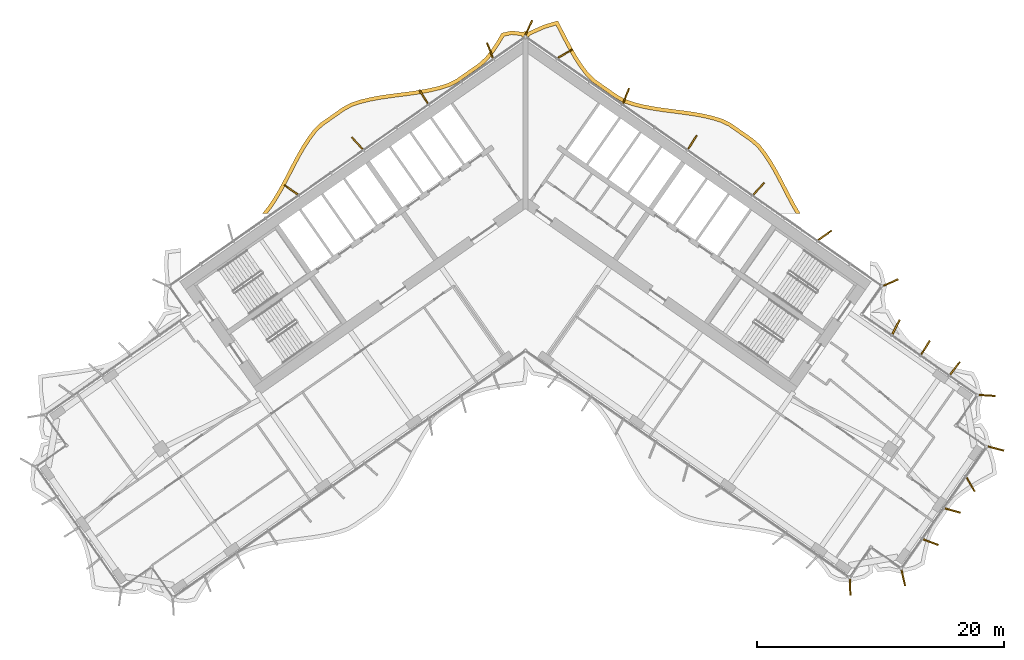
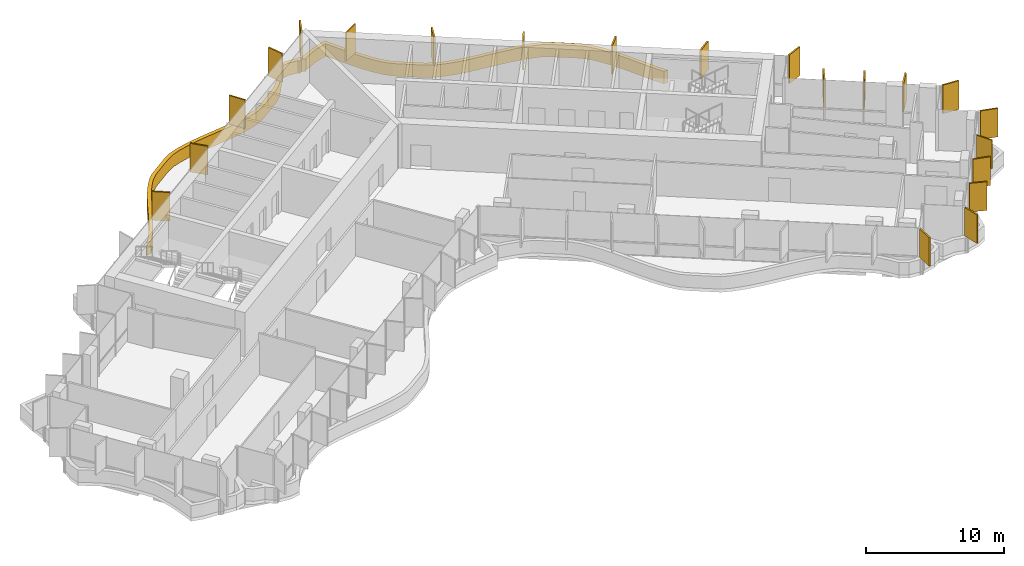
# One storey, part 21 of 21: 22 shading devices.
"""IFC4 building model written with IfcOpenShell, lengths in metres."""

from ifc_helpers import new_model, si_unit, direction, frame, origin, origin_2d, place, context, subcontext, project, spatial, polyline, rectangle, outline, extrude, material, layer, layer_set, type_object, element, save


model = new_model("IFC4")

# Units and contexts
model_context = context("Model", 3, precision=1e-05, world=origin(), true_north=direction((0.0, 1.0)))
body_context = subcontext(model_context, "Body", "Model", "MODEL_VIEW")
ifc_project = project(units=[si_unit("LENGTHUNIT", "METRE"), si_unit("AREAUNIT", "SQUARE_METRE"), si_unit("VOLUMEUNIT", "CUBIC_METRE"), si_unit("PLANEANGLEUNIT", "RADIAN"), si_unit("MASSUNIT", "GRAM", prefix="KILO")], contexts=[model_context])

# Site, building, storey
site_placement = place(None, origin())
site = spatial("IfcSite", under=ifc_project, at=site_placement, CompositionType="ELEMENT")
building_placement = place(site_placement, origin())
building = spatial("IfcBuilding", under=site, at=building_placement, Name="Tel Ilan Convention Tower", CompositionType="ELEMENT")
storey_placement = place(building_placement, frame((0.0, 0.0, 151.5)))
storey = spatial("IfcBuildingStorey", under=building, at=storey_placement, Name="L34", CompositionType="ELEMENT", Elevation=151.5)

# Shading devices
ifc_material_1 = material(Name="Aluminium, bronze anodised", Category="aluminium")
ifc_layer_1 = layer(ifc_material_1, 0.1201171875)
ifc_layer_set_1 = layer_set([ifc_layer_1], Name="FIN BRONZE 1300x120")
shading_device_type_1 = type_object("IfcShadingDeviceType", Name="FIN BRONZE 1300x120", PredefinedType="USERDEFINED", material=ifc_layer_set_1)
for number, where, z_axis, x_axis, name in (
    (1, (29.56689453125, -7.193359375, 1.10009765625), (0.0, 0.0, 1.0), (0.914332505315, 0.404964282034, 0.0), "FIN"),
    (2, (24.233642578125, -3.37841796875, 1.10009765625), (0.0, 0.0, 1.0), (0.813552070258, 0.581492071294, 0.0), "FIN"),
    (3, (18.879150390625, 0.39404296875, 1.10009765625), (0.0, 0.0, 1.0), (0.686241637865, 0.727373641577, 0.0), "FIN"),
    (4, (13.510986328125, 4.153076171875, 1.10009765625), (0.0, 0.0, 1.0), (0.533204432798, 0.845986425922, 0.0), "FIN"),
    (5, (8.139892578125, 7.90576171875, 1.10009765625), (0.0, 0.0, 1.0), (0.360177724803, 0.932883704733, 0.0), "FIN"),
    (6, (3.209716796875, 11.320068359375, 1.10009765625), (0.0, 0.0, 1.0), (0.866025403784, 0.5, 0.0), "FIN"),
    (7, (0.274658203125, 13.43212890625, 1.10009765625), (0.0, 0.0, 1.0), (0.422618261741, 0.906307787037, 0.0), "FIN"),
    (8, (-2.874755859375, 11.592529296875, 1.10009765625), (0.0, 0.0, 1.0), (-0.360177724803, 0.932883704733, 0.0), "FIN"),
    (9, (-8.245849609375, 7.83984375, 1.10009765625), (0.0, 0.0, 1.0), (-0.533204432798, 0.845986425922, 0.0), "FIN"),
    (10, (-13.61376953125, 4.080810546875, 1.10009765625), (0.0, 0.0, 1.0), (-0.686241637865, 0.727373641577, 0.0), "FIN"),
    (11, (-18.96826171875, 0.308349609375, 1.10009765625), (0.0, 0.0, 1.0), (-0.813552070258, 0.581492071294, 0.0), "FIN"),
    (12, (26.2724609375, -31.85791015625, 1.10009765625), (0.0, 0.0, 1.0), (0.029084718749, -0.999576950082, 0.0), "FIN"),
    (13, (30.574462890625, -31.099609375, 1.10009765625), (0.0, 0.0, 1.0), (0.221170268371, -0.975235208752, 0.0), "FIN"),
    (14, (32.79736328125, -28.20703125, 1.10009765625), (0.0, 0.0, 1.0), (0.932883704733, -0.360177724803, 0.0), "FIN"),
    (15, (34.5712890625, -25.65185546875, 1.10009765625), (0.0, 0.0, 1.0), (0.963370878614, -0.268172612768, 0.0), "FIN"),
    (16, (36.02392578125, -23.545166015625, 1.10009765625), (0.0, 0.0, 1.0), (0.5, -0.866025403784, 0.0), "FIN"),
    (17, (38.080078125, -20.633544921875, 1.10009765625), (0.0, 0.0, 1.0), (0.965925826289, -0.258819045103, 0.0), "FIN"),
    (18, (37.353271484375, -16.3330078125, 1.10009765625), (0.0, 0.0, 1.0), (0.997697449973, -0.067821812994, 0.0), "FIN"),
    (19, (34.756103515625, -14.14111328125, 1.10009765625), (0.0, 0.0, 1.0), (0.612600545196, 0.790392669516, 0.0), "FIN"),
    (20, (32.369873046875, -12.47021484375, 1.10009765625), (0.0, 0.0, 1.0), (0.533204432798, 0.845986425922, 0.0), "FIN"),
    (21, (29.98388671875, -10.7998046875, 1.10009765625), (0.0, 0.0, 1.0), (0.448799180206, 0.893632640321, 0.0), "FIN"),
):
    element("IfcShadingDevice", number, at=place(storey_placement, frame(where, z_axis=z_axis, x_axis=x_axis)), inside=storey, type_object=shading_device_type_1, Name=name, ObjectType="FIN", PredefinedType="USERDEFINED", context=body_context, shape_type="SweptSolid", body=[
        extrude(rectangle(XDim=1.300048828125, YDim=0.1201171875, at=origin_2d()), origin(), (0.0, 0.0, 1.0), 2.52001953125),
    ])
ifc_material_2 = material(Name="Aluminium, bronze anodised", Category="aluminium")
ifc_layer_2 = layer(ifc_material_2, 0.300048828125)
ifc_layer_set_2 = layer_set([ifc_layer_2], Name="LOUVRE BAND 300x1100")
shading_device_type_2 = type_object("IfcShadingDeviceType", Name="LOUVRE BAND 300x1100", PredefinedType="USERDEFINED", material=ifc_layer_set_2)
shading_device_placement = place(storey_placement, origin())
element("IfcShadingDevice", 22, at=shading_device_placement, inside=storey, type_object=shading_device_type_2, Name="LOUVRE BAND 27.02", ObjectType="LOUVRE", PredefinedType="USERDEFINED", context=body_context, shape_type="SweptSolid", body=[
    extrude(outline(polyline([(-20.849609375, -1.0634765625), (-21.30126953125, -1.631591796875), (-20.91796875, -1.631591796875), (-20.607666015625, -1.2412109375), (-20.154052734375, -0.572265625), (-19.73291015625, 0.13330078125), (-19.335205078125, 0.86328125), (-18.57080078125, 2.342041015625), (-18.1845703125, 3.06298828125), (-17.78369140625, 3.75341796875), (-17.359619140625, 4.40185546875), (-16.911376953125, 4.99072265625), (-16.409912109375, 5.478515625), (-14.633056640625, 6.722412109375), (-14.02197265625, 7.05712890625), (-13.32763671875, 7.284912109375), (-12.58056640625, 7.4697265625), (-11.800048828125, 7.61669921875), (-10.994384765625, 7.73681640625), (-9.345458984375, 7.94873046875), (-8.521484375, 8.068603515625), (-7.710693359375, 8.216064453125), (-6.921875, 8.404296875), (-6.152587890625, 8.64794921875), (-5.447509765625, 9.00390625), (-3.604248046875, 10.29443359375), (-3.021484375, 10.82373046875), (-2.525634765625, 11.46142578125), (-2.076904296875, 12.135498046875), (-1.727783203125, 12.727294921875), (-1.12451171875, 12.861572265625), (-0.33935546875, 12.77978515625), (-0.24609375, 12.646728515625), (0.0, 12.818115234375), (0.24609375, 12.646728515625), (0.3701171875, 12.82373046875), (1.583984375, 13.365234375), (2.46484375, 13.628173828125), (3.115478515625, 12.37158203125), (3.5078125, 11.636474609375), (3.92041015625, 10.921630859375), (4.362548828125, 10.239501953125), (4.84716796875, 9.595947265625), (5.407958984375, 9.031494140625), (7.251220703125, 7.74072265625), (7.93212890625, 7.353759765625), (8.69921875, 7.09716796875), (9.48291015625, 6.89990234375), (10.2900390625, 6.745361328125), (11.112060546875, 6.621337890625), (12.762939453125, 6.408935546875), (13.572509765625, 6.29248046875), (14.3583984375, 6.15185546875), (15.11279296875, 5.97509765625), (15.819580078125, 5.75537109375), (16.44921875, 5.450927734375), (18.22607421875, 4.206787109375), (18.74951171875, 3.746826171875), (19.200927734375, 3.172607421875), (19.63037109375, 2.533447265625), (20.03515625, 1.850341796875), (20.423583984375, 1.13427734375), (21.186767578125, -0.3427734375), (21.5810546875, -1.075927734375), (21.906005859375, -1.631591796875), (22.25341796875, -1.631591796875), (21.8427734375, -0.928955078125), (21.4521484375, -0.202880859375), (20.688720703125, 1.27490234375), (20.296142578125, 1.998291015625), (19.884033203125, 2.69384765625), (19.44384765625, 3.34912109375), (18.96826171875, 3.9541015625), (18.41162109375, 4.443115234375), (16.6015625, 5.71044921875), (15.929931640625, 6.03515625), (15.191650390625, 6.2646484375), (14.419189453125, 6.44580078125), (13.6201171875, 6.588623046875), (12.80322265625, 6.7060546875), (11.15380859375, 6.91845703125), (10.340576171875, 7.041259765625), (9.547607421875, 7.19287109375), (8.783447265625, 7.385498046875), (8.054931640625, 7.62890625), (7.411865234375, 7.99462890625), (5.601806640625, 9.261962890625), (5.074462890625, 9.792724609375), (4.608642578125, 10.41162109375), (4.17626953125, 11.078369140625), (3.770263671875, 11.7822265625), (3.38134765625, 12.510986328125), (2.6162109375, 13.986328125), (1.4794921875, 13.647216796875), (0.168701171875, 13.059326171875), (0.11474609375, 13.09521484375), (0.0, 13.1181640625), (-0.11474609375, 13.09521484375), (-0.168701171875, 13.059326171875), (-1.14208984375, 13.1650390625), (-1.919921875, 12.991943359375), (-2.3310546875, 12.294921875), (-2.769287109375, 11.63671875), (-3.242431640625, 11.0283203125), (-3.7919921875, 10.529296875), (-5.601806640625, 9.261962890625), (-6.26611328125, 8.926513671875), (-7.002197265625, 8.693603515625), (-7.7724609375, 8.509765625), (-8.570068359375, 8.36474609375), (-9.385986328125, 8.24609375), (-11.03564453125, 8.033935546875), (-11.849853515625, 7.91259765625), (-12.644287109375, 7.76318359375), (-13.41064453125, 7.573486328125), (-14.141845703125, 7.33349609375), (-14.791748046875, 6.977783203125), (-16.6015625, 5.71044921875), (-17.136474609375, 5.1904296875), (-17.604736328125, 4.574951171875), (-18.0390625, 3.9111328125), (-18.44677734375, 3.209228515625), (-18.83642578125, 2.481689453125), (-19.60009765625, 1.004150390625), (-19.993408203125, 0.281982421875), (-20.4072265625, -0.4111328125), (-20.849609375, -1.0634765625)])), origin(), (0.0, 0.0, 1.0), 1.10009765625),
])

save(model, "model.ifc")
